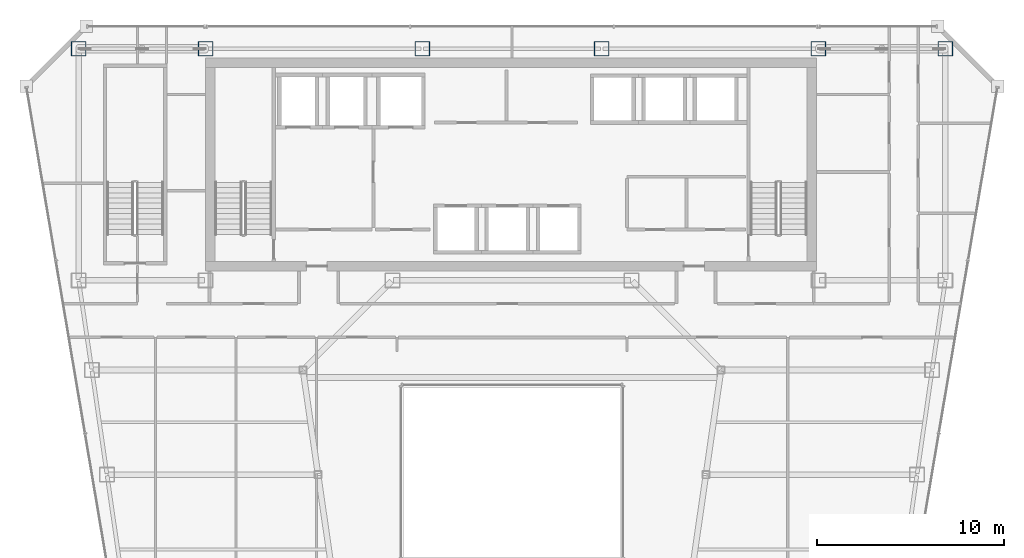
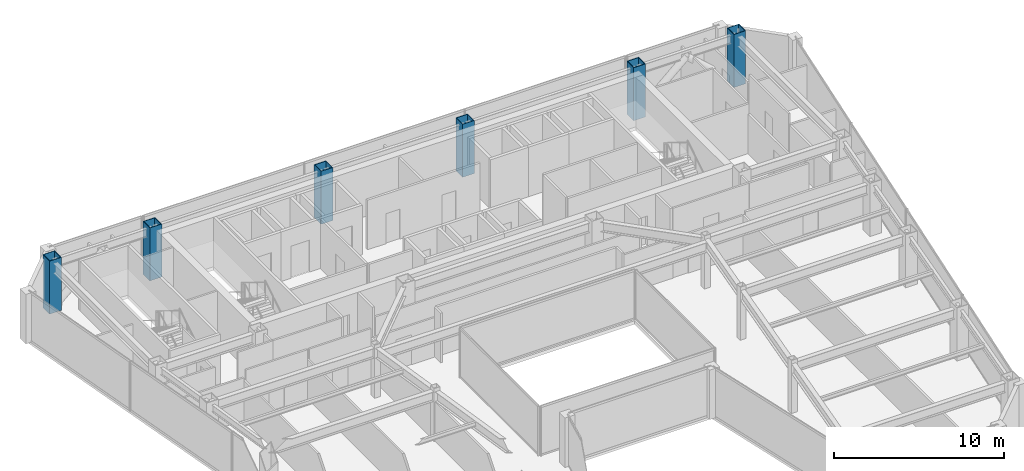
# One storey, part 2 of 35: 6 columns.
"""IFC4 building model written with IfcOpenShell, lengths in metres."""

import ifcopenshell
import ifcopenshell.guid

model = None  # the IFC model being written
_history = None  # IfcOwnerHistory: only IFC2X3 demands one
_inside = {}  # id of a spatial element -> (the spatial element, [elements in it])
_under = {}  # id of a project, library or spatial element -> (it, [spatial elements below it])
_declared = {}  # id of a project -> (the project, [libraries it declares])
_typed = {}  # id of a type object -> (the type object, [elements of that type])
_made_of = {}  # id of a material, layer set ... -> (it, [elements and type objects made of it])


def new_model(schema):
    """Start an empty IFC model of exactly this schema.

    Asked for "IFC4X3", IfcOpenShell would pick the latest addendum, in which some entities
    have other attributes; the version numbers below select the first issue.
    IFC2X3 requires an IfcOwnerHistory on every rooted entity: one is made here for all.
    """
    global model, _history
    if schema == "IFC4X3":
        model = ifcopenshell.file(schema_version=(4, 3, 0, 0))
    else:
        model = ifcopenshell.file(schema=schema)
    _inside.clear()
    _under.clear()
    _declared.clear()
    _typed.clear()
    _made_of.clear()
    _history = None
    if model.schema == "IFC2X3":
        org = make("IfcOrganization", Name="unknown")
        user = make(
            "IfcPersonAndOrganization",
            ThePerson=make("IfcPerson", FamilyName="unknown"),
            TheOrganization=org,
        )
        app = make(
            "IfcApplication",
            ApplicationDeveloper=org,
            Version="unknown",
            ApplicationFullName="unknown",
            ApplicationIdentifier="unknown",
        )
        _history = make(
            "IfcOwnerHistory",
            OwningUser=user,
            OwningApplication=app,
            ChangeAction="ADDED",
            CreationDate=0,
        )
    return model


def make(cls, **values):
    """One entity of the class cls with the attributes given. An attribute that is None is left unset."""
    return model.create_entity(
        cls, **{name: value for name, value in values.items() if value is not None}
    )


def rooted(cls, **values):
    """An entity with a GlobalId (a new one), such as an element, a storey or a relation."""
    return make(cls, GlobalId=ifcopenshell.guid.new(), OwnerHistory=_history, **values)


def si_unit(unit_type, name, prefix=None):
    """IfcSIUnit, for example si_unit("LENGTHUNIT", "METRE", prefix="MILLI")."""
    return make("IfcSIUnit", UnitType=unit_type, Prefix=prefix, Name=name)


def assignment(units):
    """IfcUnitAssignment: the units of a project."""
    return None if units is None else make("IfcUnitAssignment", Units=units)


def point(xyz):
    """IfcCartesianPoint."""
    return None if xyz is None else make("IfcCartesianPoint", Coordinates=xyz)


def direction(xyz):
    """IfcDirection."""
    return None if xyz is None else make("IfcDirection", DirectionRatios=xyz)


def frame(location, z_axis=None, x_axis=None):
    """IfcAxis2Placement3D, a coordinate frame: its origin and axes. An axis left out is left unset."""
    return make(
        "IfcAxis2Placement3D",
        Location=point(location),
        Axis=direction(z_axis),
        RefDirection=direction(x_axis),
    )


def frame_2d(location, x_axis=None):
    """IfcAxis2Placement2D, a coordinate frame in the plane: its origin and x axis."""
    return make(
        "IfcAxis2Placement2D", Location=point(location), RefDirection=direction(x_axis)
    )


def origin():
    """The frame at (0, 0, 0) with its axes left unset."""
    return frame((0.0, 0.0, 0.0))


def origin_2d():
    """The frame at (0, 0) in the plane with its x axis left unset."""
    return frame_2d((0.0, 0.0))


def place(relative_to, where):
    """IfcLocalPlacement: puts the frame where relative to a parent placement (None: the world)."""
    return make(
        "IfcLocalPlacement", PlacementRelTo=relative_to, RelativePlacement=where
    )


def context(
    kind, dimensions, precision=None, world=None, true_north=None, identifier=None
):
    """IfcGeometricRepresentationContext, for example the 3D "Model" context."""
    return make(
        "IfcGeometricRepresentationContext",
        ContextIdentifier=identifier,
        ContextType=kind,
        CoordinateSpaceDimension=dimensions,
        Precision=precision,
        WorldCoordinateSystem=world,
        TrueNorth=true_north,
    )


def subcontext(parent, identifier, kind, view, scale=None):
    """IfcGeometricRepresentationSubContext, for example "Body" below "Model"."""
    return make(
        "IfcGeometricRepresentationSubContext",
        ContextIdentifier=identifier,
        ContextType=kind,
        ParentContext=parent,
        TargetScale=scale,
        TargetView=view,
    )


def project(units=None, contexts=None):
    """IfcProject with its units and contexts."""
    return rooted(
        "IfcProject",
        Name="project",
        RepresentationContexts=contexts,
        UnitsInContext=assignment(units),
    )


def spatial(cls, under=None, at=None, **own):
    """A site, building, storey or space (cls), placed at a placement, below another one or the project."""
    s = rooted(cls, ObjectPlacement=at, **own)
    if under is not None:
        _under.setdefault(under.id(), (under, []))[1].append(s)
    return s


def profile(cls, at=None, kind="AREA", **sizes):
    """A parametric profile (cls). Its sizes go by their IFC names, for example OverallWidth=200.0."""
    return make(cls, ProfileType=kind, Position=at, **sizes)


def hollow_rectangle(**sizes):
    """IfcRectangleHollowProfileDef."""
    return profile("IfcRectangleHollowProfileDef", **sizes)


def extrude(swept, where, along, depth):
    """IfcExtrudedAreaSolid: the profile swept, set in the frame where, extruded along a direction by depth."""
    return make(
        "IfcExtrudedAreaSolid",
        SweptArea=swept,
        Position=where,
        ExtrudedDirection=direction(along),
        Depth=depth,
    )


def shape(context_of_items, identifier, shape_type, items):
    """IfcShapeRepresentation: the items that make up one representation, for example the "Body"."""
    return make(
        "IfcShapeRepresentation",
        ContextOfItems=context_of_items,
        RepresentationIdentifier=identifier,
        RepresentationType=shape_type,
        Items=items,
    )


def material(Name=None, Category=None):
    """IfcMaterial."""
    return make("IfcMaterial", Name=Name, Category=Category)


def material_profile(
    of_material, cross_section, Name=None, Category=None, Priority=None
):
    """IfcMaterialProfile: a cross section and its material."""
    return make(
        "IfcMaterialProfile",
        Name=Name,
        Material=of_material,
        Profile=cross_section,
        Priority=Priority,
        Category=Category,
    )


def profile_set(profiles, Name=None, composite=None):
    """IfcMaterialProfileSet."""
    return make(
        "IfcMaterialProfileSet",
        Name=Name,
        MaterialProfiles=profiles,
        CompositeProfile=composite,
    )


def made_of(thing, what):
    """Note that an element or type object is made of a material, layer set ...; save() writes the relation."""
    if what is not None:
        _made_of.setdefault(what.id(), (what, []))[1].append(thing)
    return thing


def type_object(cls, material=None, **own):
    """A type object (cls), such as IfcWallType, which elements share."""
    return made_of(rooted(cls, **own), material)


def element(
    cls,
    number,
    at=None,
    inside=None,
    cuts=None,
    type_object=None,
    material=None,
    context=None,
    identifier="Body",
    shape_type=None,
    held_by="IfcProductDefinitionShape",
    body=None,
    shapes=None,
    **own,
):
    """One element of the class cls, such as IfcWall. Its Tag is "e" and its number.

    at: its placement. inside: the storey or other place that contains it. cuts: it is an
    opening in that element (IfcRelVoidsElement). A single representation is given by context,
    identifier, shape_type and body (its items); several are given by shapes. held_by: the class
    of the entity that holds the representations. save() writes the other relations.
    """
    e = rooted(cls, Tag="e%d" % number, ObjectPlacement=at, **own)
    if body is not None:
        shapes = [shape(context, identifier, shape_type, body)]
    if shapes is not None:
        e.Representation = make(held_by, Representations=shapes)
    if inside is not None:
        _inside.setdefault(inside.id(), (inside, []))[1].append(e)
    if cuts is not None:
        rooted(
            "IfcRelVoidsElement", RelatingBuildingElement=cuts, RelatedOpeningElement=e
        )
    if type_object is not None:
        _typed.setdefault(type_object.id(), (type_object, []))[1].append(e)
    return made_of(e, material)


def aggregate(whole, parts):
    """IfcRelAggregates: a whole, such as a stair, and the parts it consists of."""
    return rooted("IfcRelAggregates", RelatingObject=whole, RelatedObjects=parts)


def save(model, path):
    """Write the relations noted so far, then the file.

    IfcRelAggregates (storeys below a building ...), IfcRelContainedInSpatialStructure (elements
    in a storey), IfcRelDefinesByType, IfcRelAssociatesMaterial and IfcRelDeclares: one each for
    every whole, place, type object, material and project.
    """
    for whole, parts in _under.values():
        aggregate(whole, parts)
    for where, things in _inside.values():
        rooted(
            "IfcRelContainedInSpatialStructure",
            RelatedElements=things,
            RelatingStructure=where,
        )
    for kind, things in _typed.values():
        rooted("IfcRelDefinesByType", RelatedObjects=things, RelatingType=kind)
    for what, things in _made_of.values():
        rooted("IfcRelAssociatesMaterial", RelatedObjects=things, RelatingMaterial=what)
    for by, libraries in _declared.values():
        rooted("IfcRelDeclares", RelatingContext=by, RelatedDefinitions=libraries)
    model.write(path)


model = new_model("IFC4")

# Units and contexts
model_context = context("Model", 3, precision=1e-05, world=origin(), true_north=direction((0.0, 1.0)))
body_context = subcontext(model_context, "Body", "Model", "MODEL_VIEW")
ifc_project = project(units=[si_unit("LENGTHUNIT", "METRE"), si_unit("AREAUNIT", "SQUARE_METRE"), si_unit("VOLUMEUNIT", "CUBIC_METRE"), si_unit("PLANEANGLEUNIT", "RADIAN"), si_unit("MASSUNIT", "GRAM", prefix="KILO")], contexts=[model_context])

# Site, building, storey
site_placement = place(None, origin())
site = spatial("IfcSite", under=ifc_project, at=site_placement, CompositionType="ELEMENT")
building_placement = place(site_placement, origin())
building = spatial("IfcBuilding", under=site, at=building_placement, Name="Saevonmaru Cultural Tower", CompositionType="ELEMENT")
storey_placement = place(building_placement, frame((0.0, 0.0, 194.199951171875)))
storey = spatial("IfcBuildingStorey", under=building, at=storey_placement, Name="L44", CompositionType="ELEMENT", Elevation=194.199951171875)

# Columns
ifc_material = material(Name="Steel SM420", Category="steel")
ifc_material_profile = material_profile(ifc_material, hollow_rectangle(XDim=0.800048828125, YDim=0.800048828125, WallThickness=0.035888671875, at=origin_2d()), Name="BOX-800x800x36")
ifc_profile_set = profile_set([ifc_material_profile], Name="Steel SM420")
column_type = type_object("IfcColumnType", Name="COL-BOX-800", PredefinedType="COLUMN", material=ifc_profile_set)
for number, where, z_axis, x_axis, name in (
    (1, (6.800048828125, 54.800048828125, 0.0), (0.0, 0.0, 1.0), (1.0, 0.0, 0.0), "L44 Column TC-N1N"),
    (2, (13.60009765625, 54.800048828125, 0.0), (0.0, 0.0, 1.0), (1.0, 0.0, 0.0), "L44 Column TC-N2N"),
    (3, (25.199951171875, 54.800048828125, 0.0), (0.0, 0.0, 1.0), (1.0, 0.0, 0.0), "L44 Column TC-N3N"),
    (4, (34.800048828125, 54.800048828125, 0.0), (0.0, 0.0, 1.0), (1.0, 0.0, 0.0), "L44 Column TC-N4N"),
    (5, (46.39990234375, 54.800048828125, 0.0), (0.0, 0.0, 1.0), (1.0, 0.0, 0.0), "L44 Column TC-N5N"),
    (6, (53.199951171875, 54.800048828125, 0.0), (0.0, 0.0, 1.0), (1.0, 0.0, 0.0), "L44 Column TC-N6N"),
):
    element("IfcColumn", number, at=place(storey_placement, frame(where, z_axis=z_axis, x_axis=x_axis)), inside=storey, type_object=column_type, Name=name, PredefinedType="COLUMN", context=body_context, shape_type="SweptSolid", body=[
        extrude(hollow_rectangle(XDim=0.800048828125, YDim=0.800048828125, WallThickness=0.035888671875, at=origin_2d()), origin(), (0.0, 0.0, 1.0), 3.800048828125),
    ])

save(model, "model.ifc")
